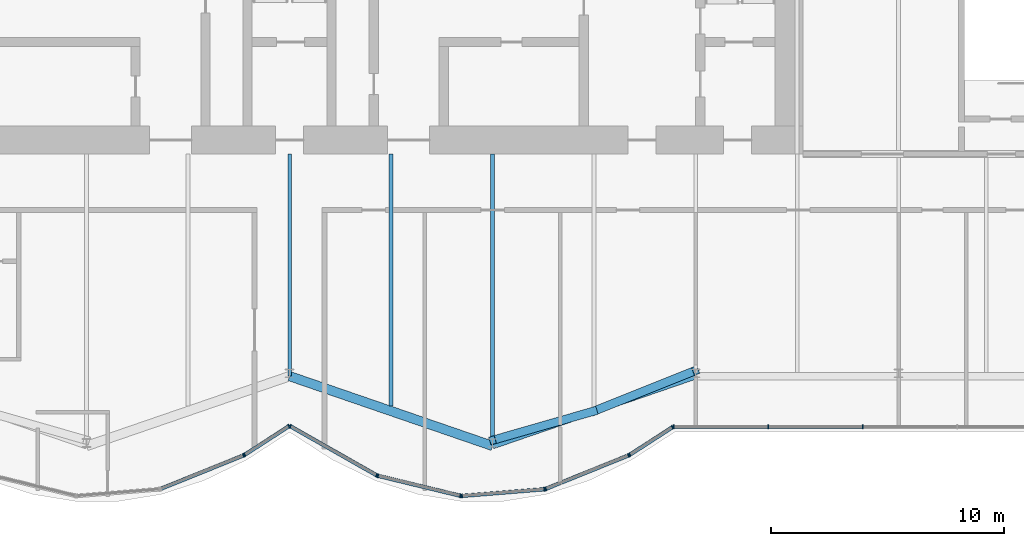
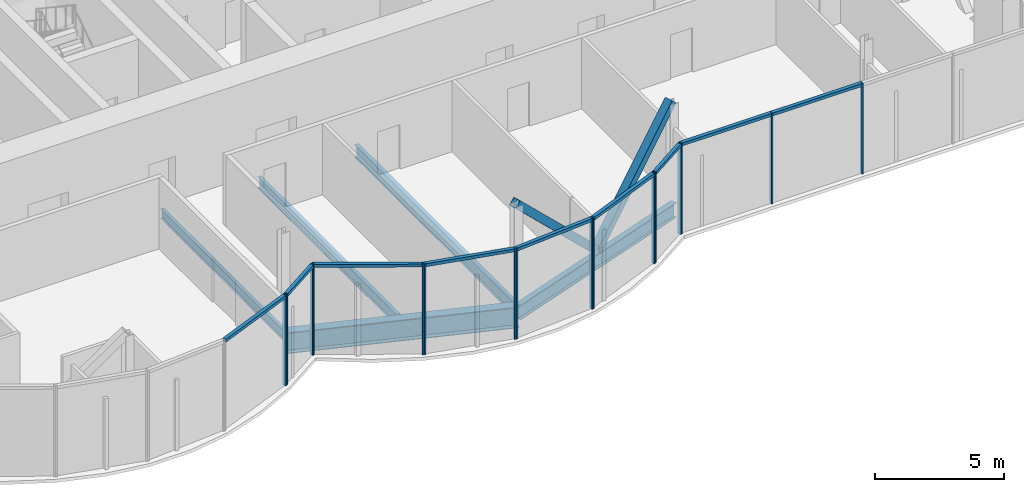
# One storey, part 6 of 16: 27 members, 5 beams, 3 elements without a shape of their own.
"""IFC4 building model written with IfcOpenShell, lengths in metres."""

from ifc_helpers import new_model, si_unit, direction, frame, origin, origin_2d, place, context, subcontext, project, spatial, rectangle, hollow_rectangle, i_section, extrude, material, material_profile, profile_set, type_object, element, aggregate, save


model = new_model("IFC4")

# Units and contexts
model_context = context("Model", 3, precision=1e-05, world=origin(), true_north=direction((0.0, 1.0)))
body_context = subcontext(model_context, "Body", "Model", "MODEL_VIEW")
ifc_project = project(units=[si_unit("LENGTHUNIT", "METRE"), si_unit("AREAUNIT", "SQUARE_METRE"), si_unit("VOLUMEUNIT", "CUBIC_METRE"), si_unit("PLANEANGLEUNIT", "RADIAN"), si_unit("MASSUNIT", "GRAM", prefix="KILO")], contexts=[model_context])

# Site, building, storey
site_placement = place(None, origin())
site = spatial("IfcSite", under=ifc_project, at=site_placement, CompositionType="ELEMENT")
building_placement = place(site_placement, origin())
building = spatial("IfcBuilding", under=site, at=building_placement, Name="Bicima Exchange Tower", CompositionType="ELEMENT")
storey_placement = place(building_placement, frame((0.0, 0.0, 338.0)))
storey = spatial("IfcBuildingStorey", under=building, at=storey_placement, Name="L76", CompositionType="ELEMENT", Elevation=338.0)

# Beams
ifc_material_1 = material(Name="Steel ASTM A992 Gr 50", Category="steel")
ifc_material_profile_1 = material_profile(ifc_material_1, i_section(OverallWidth=0.15283203125, OverallDepth=0.45458984375, WebThickness=0.008056640625, FlangeThickness=0.013427734375, at=origin_2d()))
ifc_profile_set_1 = profile_set([ifc_material_profile_1], Name="Steel ASTM A992 Gr 50")
beam_type_1 = type_object("IfcBeamType", Name="Floor beam W18x40", PredefinedType="JOIST", material=ifc_profile_set_1)
beam_1_placement = place(storey_placement, frame((0.0, -13.0, -0.377197265625), z_axis=(0.0, -1.0, 0.0), x_axis=(1.0, 0.0, 0.0)))
element("IfcBeam", 1, at=beam_1_placement, inside=storey, type_object=beam_type_1, Name="Floor beam", PredefinedType="JOIST", context=body_context, shape_type="SweptSolid", body=[
    extrude(i_section(OverallWidth=0.15283203125, OverallDepth=0.45458984375, WebThickness=0.008056640625, FlangeThickness=0.013427734375, at=origin_2d()), origin(), (0.0, 0.0, 1.0), 9.52001953125),
])
ifc_material_profile_2 = material_profile(ifc_material_1, i_section(OverallWidth=0.165771484375, OverallDepth=0.5283203125, WebThickness=0.009765625, FlangeThickness=0.013671875, at=origin_2d()))
ifc_profile_set_2 = profile_set([ifc_material_profile_2], Name="Steel ASTM A992 Gr 50")
beam_type_2 = type_object("IfcBeamType", Name="Floor beam W21x50", PredefinedType="JOIST", material=ifc_profile_set_2)
beam_2_placement = place(storey_placement, frame((4.35009765625, -13.0, -0.414306640625), z_axis=(0.0, -1.0, 0.0), x_axis=(1.0, 0.0, 0.0)))
element("IfcBeam", 2, at=beam_2_placement, inside=storey, type_object=beam_type_2, Name="Floor beam", PredefinedType="JOIST", context=body_context, shape_type="SweptSolid", body=[
    extrude(i_section(OverallWidth=0.165771484375, OverallDepth=0.5283203125, WebThickness=0.009765625, FlangeThickness=0.013671875, at=origin_2d()), origin(), (0.0, 0.0, 1.0), 10.80322265625),
])
ifc_material_profile_3 = material_profile(ifc_material_1, i_section(OverallWidth=0.177978515625, OverallDepth=0.599365234375, WebThickness=0.010009765625, FlangeThickness=0.012939453125, at=origin_2d()))
ifc_profile_set_3 = profile_set([ifc_material_profile_3], Name="Steel ASTM A992 Gr 50")
beam_type_3 = type_object("IfcBeamType", Name="Floor beam W24x55", PredefinedType="JOIST", material=ifc_profile_set_3)
beam_3_placement = place(storey_placement, frame((8.699951171875, -13.0, -0.44970703125), z_axis=(0.0, -1.0, 0.0), x_axis=(1.0, 0.0, 0.0)))
element("IfcBeam", 3, at=beam_3_placement, inside=storey, type_object=beam_type_3, Name="Floor beam", PredefinedType="JOIST", context=body_context, shape_type="SweptSolid", body=[
    extrude(i_section(OverallWidth=0.177978515625, OverallDepth=0.599365234375, WebThickness=0.010009765625, FlangeThickness=0.012939453125, at=origin_2d()), origin(), (0.0, 0.0, 1.0), 12.298828125),
])
ifc_material_profile_4 = material_profile(ifc_material_1, i_section(OverallWidth=0.256591796875, OverallDepth=0.693359375, WebThickness=0.014404296875, FlangeThickness=0.023681640625, at=origin_2d()))
ifc_profile_set_4 = profile_set([ifc_material_profile_4], Name="Steel ASTM A992 Gr 50")
beam_type_4 = type_object("IfcBeamType", Name="Front girder W27x114", PredefinedType="BEAM", material=ifc_profile_set_4)
beam_4_placement = place(storey_placement, frame((8.699951171875, -25.510986328125, -0.49658203125), z_axis=(0.945674616091, 0.32511462668, 0.0), x_axis=(-0.32511462668, 0.945674616091, 0.0)))
element("IfcBeam", 4, at=beam_4_placement, inside=storey, type_object=beam_type_4, Name="Front girder", PredefinedType="BEAM", context=body_context, shape_type="SweptSolid", body=[
    extrude(i_section(OverallWidth=0.256591796875, OverallDepth=0.693359375, WebThickness=0.014404296875, FlangeThickness=0.023681640625, at=origin_2d()), origin(), (0.0, 0.0, 1.0), 9.19970703125),
])
ifc_material_profile_5 = material_profile(ifc_material_1, i_section(OverallWidth=0.4013671875, OverallDepth=0.990478515625, WebThickness=0.0166015625, FlangeThickness=0.031005859375, at=origin_2d()))
ifc_profile_set_5 = profile_set([ifc_material_profile_5], Name="Steel ASTM A992 Gr 50")
beam_type_5 = type_object("IfcBeamType", Name="Front girder W40x215", PredefinedType="BEAM", material=ifc_profile_set_5)
beam_5_placement = place(storey_placement, frame((0.0, -22.52001953125, -0.645263671875), z_axis=(0.945674616091, -0.32511462668, 0.0), x_axis=(0.32511462668, 0.945674616091, 0.0)))
element("IfcBeam", 5, at=beam_5_placement, inside=storey, type_object=beam_type_5, Name="Front girder", PredefinedType="BEAM", context=body_context, shape_type="SweptSolid", body=[
    extrude(i_section(OverallWidth=0.4013671875, OverallDepth=0.990478515625, WebThickness=0.0166015625, FlangeThickness=0.031005859375, at=origin_2d()), origin(), (0.0, 0.0, 1.0), 9.19970703125),
])

# Curtain wall, members
ifc_material_2 = material(Name="Anodised bronze aluminium", Category="aluminium")
curtain_wall_type = type_object("IfcCurtainWallType", Name="Front glass wall", PredefinedType="NOTDEFINED", material=ifc_material_2)
curtain_wall_1_placement = place(storey_placement, origin())
curtain_wall_1 = element("IfcCurtainWall", 6, at=curtain_wall_1_placement, inside=storey, type_object=curtain_wall_type, Name="Front glass wall L76 run 6", PredefinedType="NOTDEFINED")
ifc_material_profile_6 = material_profile(ifc_material_2, rectangle(XDim=0.159912109375, YDim=0.06005859375, at=origin_2d()))
ifc_profile_set_6 = profile_set([ifc_material_profile_6], Name="Anodised bronze aluminium")
member_type_1 = type_object("IfcMemberType", Name="Front glass wall mullion 60 x 160", PredefinedType="MULLION", material=ifc_profile_set_6)
member_1_placement = place(storey_placement, frame((-1.97412109375, -25.91552734375, 0.0), z_axis=(0.0, 0.0, 1.0), x_axis=(-0.374705304, 0.92714396679, 0.0)))
member_1 = element("IfcMember", 7, at=member_1_placement, type_object=member_type_1, Name="Front glass wall mullion 2", PredefinedType="MULLION", context=body_context, shape_type="SweptSolid", body=[
    extrude(rectangle(XDim=0.159912109375, YDim=0.06005859375, at=origin_2d()), origin(), (0.0, 0.0, 1.0), 4.300048828125),
])
member_2_placement = place(storey_placement, frame((-1.921142578125, -25.88818359375, 0.0), z_axis=(0.0, 0.0, 1.0), x_axis=(-0.542897457326, 0.839798994301, 0.0)))
member_2 = element("IfcMember", 8, at=member_2_placement, type_object=member_type_1, Name="Front glass wall mullion 1", PredefinedType="MULLION", context=body_context, shape_type="SweptSolid", body=[
    extrude(rectangle(XDim=0.159912109375, YDim=0.06005859375, at=origin_2d()), origin(), (0.0, 0.0, 1.0), 4.300048828125),
])
member_3_placement = place(storey_placement, frame((-0.025146484375, -24.662353515625, 0.0), z_axis=(0.0, 0.0, 1.0), x_axis=(-0.542897457326, 0.839798994301, 0.0)))
member_3 = element("IfcMember", 9, at=member_3_placement, type_object=member_type_1, Name="Front glass wall mullion 2", PredefinedType="MULLION", context=body_context, shape_type="SweptSolid", body=[
    extrude(rectangle(XDim=0.159912109375, YDim=0.06005859375, at=origin_2d()), origin(), (0.0, 0.0, 1.0), 4.300048828125),
])

curtain_wall_2_placement = place(storey_placement, origin())
curtain_wall_2 = element("IfcCurtainWall", 10, at=curtain_wall_2_placement, inside=storey, type_object=curtain_wall_type, Name="Front glass wall L76 run 11", PredefinedType="NOTDEFINED")
member_4_placement = place(storey_placement, frame((0.026123046875, -24.660888671875, 0.0), z_axis=(0.0, 0.0, 1.0), x_axis=(0.494330311331, 0.869274147378, 0.0)))
member_4 = element("IfcMember", 11, at=member_4_placement, type_object=member_type_1, Name="Front glass wall mullion 1", PredefinedType="MULLION", context=body_context, shape_type="SweptSolid", body=[
    extrude(rectangle(XDim=0.159912109375, YDim=0.06005859375, at=origin_2d()), origin(), (0.0, 0.0, 1.0), 4.300048828125),
])
member_5_placement = place(storey_placement, frame((3.7265625, -26.765380859375, 0.0), z_axis=(0.0, 0.0, 1.0), x_axis=(0.494330311331, 0.869274147378, 0.0)))
member_5 = element("IfcMember", 12, at=member_5_placement, type_object=member_type_1, Name="Front glass wall mullion 2", PredefinedType="MULLION", context=body_context, shape_type="SweptSolid", body=[
    extrude(rectangle(XDim=0.159912109375, YDim=0.06005859375, at=origin_2d()), origin(), (0.0, 0.0, 1.0), 4.300048828125),
])
member_6_placement = place(storey_placement, frame((3.781982421875, -26.787353515625, 0.0), z_axis=(0.0, 0.0, 1.0), x_axis=(0.235681529503, 0.971830343553, 0.0)))
member_6 = element("IfcMember", 13, at=member_6_placement, type_object=member_type_1, Name="Front glass wall mullion 1", PredefinedType="MULLION", context=body_context, shape_type="SweptSolid", body=[
    extrude(rectangle(XDim=0.159912109375, YDim=0.06005859375, at=origin_2d()), origin(), (0.0, 0.0, 1.0), 4.300048828125),
])
member_7_placement = place(storey_placement, frame((7.322509765625, -27.64599609375, 0.0), z_axis=(0.0, 0.0, 1.0), x_axis=(0.235681529503, 0.971830343553, 0.0)))
member_7 = element("IfcMember", 14, at=member_7_placement, type_object=member_type_1, Name="Front glass wall mullion 2", PredefinedType="MULLION", context=body_context, shape_type="SweptSolid", body=[
    extrude(rectangle(XDim=0.159912109375, YDim=0.06005859375, at=origin_2d()), origin(), (0.0, 0.0, 1.0), 4.300048828125),
])
member_8_placement = place(storey_placement, frame((7.381591796875, -27.650634765625, 0.0), z_axis=(0.0, 0.0, 1.0), x_axis=(-0.080588612633, 0.99674744821, 0.0)))
member_8 = element("IfcMember", 15, at=member_8_placement, type_object=member_type_1, Name="Front glass wall mullion 1", PredefinedType="MULLION", context=body_context, shape_type="SweptSolid", body=[
    extrude(rectangle(XDim=0.159912109375, YDim=0.06005859375, at=origin_2d()), origin(), (0.0, 0.0, 1.0), 4.300048828125),
])
member_9_placement = place(storey_placement, frame((10.916015625, -27.36474609375, 0.0), z_axis=(0.0, 0.0, 1.0), x_axis=(-0.080588612633, 0.99674744821, 0.0)))
member_9 = element("IfcMember", 16, at=member_9_placement, type_object=member_type_1, Name="Front glass wall mullion 2", PredefinedType="MULLION", context=body_context, shape_type="SweptSolid", body=[
    extrude(rectangle(XDim=0.159912109375, YDim=0.06005859375, at=origin_2d()), origin(), (0.0, 0.0, 1.0), 4.300048828125),
])
member_10_placement = place(storey_placement, frame((10.973876953125, -27.351318359375, 0.0), z_axis=(0.0, 0.0, 1.0), x_axis=(-0.374705304, 0.92714396679, 0.0)))
member_10 = element("IfcMember", 17, at=member_10_placement, type_object=member_type_1, Name="Front glass wall mullion 1", PredefinedType="MULLION", context=body_context, shape_type="SweptSolid", body=[
    extrude(rectangle(XDim=0.159912109375, YDim=0.06005859375, at=origin_2d()), origin(), (0.0, 0.0, 1.0), 4.300048828125),
])
member_11_placement = place(storey_placement, frame((14.52587890625, -25.91552734375, 0.0), z_axis=(0.0, 0.0, 1.0), x_axis=(-0.374705304, 0.92714396679, 0.0)))
member_11 = element("IfcMember", 18, at=member_11_placement, type_object=member_type_1, Name="Front glass wall mullion 2", PredefinedType="MULLION", context=body_context, shape_type="SweptSolid", body=[
    extrude(rectangle(XDim=0.159912109375, YDim=0.06005859375, at=origin_2d()), origin(), (0.0, 0.0, 1.0), 4.300048828125),
])
member_12_placement = place(storey_placement, frame((14.578857421875, -25.88818359375, 0.0), z_axis=(0.0, 0.0, 1.0), x_axis=(-0.542909183079, 0.839791413941, 0.0)))
member_12 = element("IfcMember", 19, at=member_12_placement, type_object=member_type_1, Name="Front glass wall mullion 1", PredefinedType="MULLION", context=body_context, shape_type="SweptSolid", body=[
    extrude(rectangle(XDim=0.159912109375, YDim=0.06005859375, at=origin_2d()), origin(), (0.0, 0.0, 1.0), 4.300048828125),
])
member_13_placement = place(storey_placement, frame((16.406982421875, -24.706298828125, 0.0), z_axis=(0.0, 0.0, 1.0), x_axis=(-0.542909183079, 0.839791413941, 0.0)))
member_13 = element("IfcMember", 20, at=member_13_placement, type_object=member_type_1, Name="Front glass wall mullion 2", PredefinedType="MULLION", context=body_context, shape_type="SweptSolid", body=[
    extrude(rectangle(XDim=0.159912109375, YDim=0.06005859375, at=origin_2d()), origin(), (0.0, 0.0, 1.0), 4.300048828125),
])

curtain_wall_3_placement = place(storey_placement, origin())
curtain_wall_3 = element("IfcCurtainWall", 21, at=curtain_wall_3_placement, inside=storey, type_object=curtain_wall_type, Name="Front glass wall L76 run 16", PredefinedType="NOTDEFINED")
member_14_placement = place(storey_placement, frame((16.462158203125, -24.68994140625, 0.0), z_axis=(0.0, 0.0, 1.0), x_axis=(0.0, 1.0, 0.0)))
member_14 = element("IfcMember", 22, at=member_14_placement, type_object=member_type_1, Name="Front glass wall mullion 1", PredefinedType="MULLION", context=body_context, shape_type="SweptSolid", body=[
    extrude(rectangle(XDim=0.159912109375, YDim=0.06005859375, at=origin_2d()), origin(), (0.0, 0.0, 1.0), 4.300048828125),
])
member_15_placement = place(storey_placement, frame((20.51171875, -24.68994140625, 0.0), z_axis=(0.0, 0.0, 1.0), x_axis=(0.0, 1.0, 0.0)))
member_15 = element("IfcMember", 23, at=member_15_placement, type_object=member_type_1, Name="Front glass wall mullion 2", PredefinedType="MULLION", context=body_context, shape_type="SweptSolid", body=[
    extrude(rectangle(XDim=0.159912109375, YDim=0.06005859375, at=origin_2d()), origin(), (0.0, 0.0, 1.0), 4.300048828125),
])
member_16_placement = place(storey_placement, frame((24.56103515625, -24.68994140625, 0.0), z_axis=(0.0, 0.0, 1.0), x_axis=(0.0, 1.0, 0.0)))
member_16 = element("IfcMember", 24, at=member_16_placement, type_object=member_type_1, Name="Front glass wall mullion 3", PredefinedType="MULLION", context=body_context, shape_type="SweptSolid", body=[
    extrude(rectangle(XDim=0.159912109375, YDim=0.06005859375, at=origin_2d()), origin(), (0.0, 0.0, 1.0), 4.300048828125),
])

# Member
ifc_material_profile_7 = material_profile(ifc_material_2, rectangle(XDim=0.159912109375, YDim=0.139892578125, at=origin_2d()))
ifc_profile_set_7 = profile_set([ifc_material_profile_7], Name="Anodised bronze aluminium")
member_type_2 = type_object("IfcMemberType", Name="Front glass wall transom 140 x 160", PredefinedType="USERDEFINED", material=ifc_profile_set_7)
member_17_placement = place(storey_placement, frame((-5.498291015625, -27.33984375, 4.22998046875), z_axis=(0.927140215882, 0.374714584842, 0.0), x_axis=(-0.374714584842, 0.927140215882, 0.0)))
member_17 = element("IfcMember", 25, at=member_17_placement, type_object=member_type_2, Name="Front glass wall transom 1.1", ObjectType="TRANSOM", PredefinedType="USERDEFINED", context=body_context, shape_type="SweptSolid", body=[
    extrude(rectangle(XDim=0.159912109375, YDim=0.139892578125, at=origin_2d()), origin(), (0.0, 0.0, 1.0), 3.77099609375),
])

member_18_placement = place(storey_placement, frame((-1.89599609375, -25.871826171875, 4.22998046875), z_axis=(0.839811483481, 0.542878137536, 0.0), x_axis=(-0.542878137536, 0.839811483481, 0.0)))
member_18 = element("IfcMember", 26, at=member_18_placement, type_object=member_type_2, Name="Front glass wall transom 1.1", ObjectType="TRANSOM", PredefinedType="USERDEFINED", context=body_context, shape_type="SweptSolid", body=[
    extrude(rectangle(XDim=0.159912109375, YDim=0.139892578125, at=origin_2d()), origin(), (0.0, 0.0, 1.0), 2.19775390625),
])

aggregate(curtain_wall_1, [member_1, member_17, member_2, member_3, member_18])

member_19_placement = place(storey_placement, frame((0.05224609375, -24.67578125, 4.22998046875), z_axis=(0.869265121745, -0.494346182466, 0.0), x_axis=(0.494346182466, 0.869265121745, 0.0)))
member_19 = element("IfcMember", 27, at=member_19_placement, type_object=member_type_2, Name="Front glass wall transom 1.1", ObjectType="TRANSOM", PredefinedType="USERDEFINED", context=body_context, shape_type="SweptSolid", body=[
    extrude(rectangle(XDim=0.159912109375, YDim=0.139892578125, at=origin_2d()), origin(), (0.0, 0.0, 1.0), 4.19677734375),
])

member_20_placement = place(storey_placement, frame((3.81103515625, -26.794189453125, 4.22998046875), z_axis=(0.971817951661, -0.235732621477, 0.0), x_axis=(0.235732621477, 0.971817951661, 0.0)))
member_20 = element("IfcMember", 28, at=member_20_placement, type_object=member_type_2, Name="Front glass wall transom 1.1", ObjectType="TRANSOM", PredefinedType="USERDEFINED", context=body_context, shape_type="SweptSolid", body=[
    extrude(rectangle(XDim=0.159912109375, YDim=0.139892578125, at=origin_2d()), origin(), (0.0, 0.0, 1.0), 3.58349609375),
])

member_21_placement = place(storey_placement, frame((7.41162109375, -27.648193359375, 4.22998046875), z_axis=(0.9967456465, 0.080610893699, 0.0), x_axis=(-0.080610893699, 0.9967456465, 0.0)))
member_21 = element("IfcMember", 29, at=member_21_placement, type_object=member_type_2, Name="Front glass wall transom 1.1", ObjectType="TRANSOM", PredefinedType="USERDEFINED", context=body_context, shape_type="SweptSolid", body=[
    extrude(rectangle(XDim=0.159912109375, YDim=0.139892578125, at=origin_2d()), origin(), (0.0, 0.0, 1.0), 3.48583984375),
])

member_22_placement = place(storey_placement, frame((11.001708984375, -27.33984375, 4.22998046875), z_axis=(0.927140215882, 0.374714584842, 0.0), x_axis=(-0.374714584842, 0.927140215882, 0.0)))
member_22 = element("IfcMember", 30, at=member_22_placement, type_object=member_type_2, Name="Front glass wall transom 1.1", ObjectType="TRANSOM", PredefinedType="USERDEFINED", context=body_context, shape_type="SweptSolid", body=[
    extrude(rectangle(XDim=0.159912109375, YDim=0.139892578125, at=origin_2d()), origin(), (0.0, 0.0, 1.0), 3.77099609375),
])

member_23_placement = place(storey_placement, frame((14.60400390625, -25.871826171875, 4.22998046875), z_axis=(0.839792890287, 0.542906899407, 0.0), x_axis=(-0.542906899407, 0.839792890287, 0.0)))
member_23 = element("IfcMember", 31, at=member_23_placement, type_object=member_type_2, Name="Front glass wall transom 1.1", ObjectType="TRANSOM", PredefinedType="USERDEFINED", context=body_context, shape_type="SweptSolid", body=[
    extrude(rectangle(XDim=0.159912109375, YDim=0.139892578125, at=origin_2d()), origin(), (0.0, 0.0, 1.0), 2.11669921875),
])

aggregate(curtain_wall_2, [member_4, member_5, member_19, member_6, member_7, member_20, member_8, member_9, member_21, member_10, member_11, member_22, member_12, member_13, member_23])

member_24_placement = place(storey_placement, frame((16.4921875, -24.68994140625, 4.22998046875), z_axis=(1.0, 0.0, 0.0), x_axis=(0.0, 1.0, 0.0)))
member_24 = element("IfcMember", 32, at=member_24_placement, type_object=member_type_2, Name="Front glass wall transom 1.1", ObjectType="TRANSOM", PredefinedType="USERDEFINED", context=body_context, shape_type="SweptSolid", body=[
    extrude(rectangle(XDim=0.159912109375, YDim=0.139892578125, at=origin_2d()), origin(), (0.0, 0.0, 1.0), 3.989501953125),
])

member_25_placement = place(storey_placement, frame((20.54150390625, -24.68994140625, 4.22998046875), z_axis=(1.0, 0.0, 0.0), x_axis=(0.0, 1.0, 0.0)))
member_25 = element("IfcMember", 33, at=member_25_placement, type_object=member_type_2, Name="Front glass wall transom 2.1", ObjectType="TRANSOM", PredefinedType="USERDEFINED", context=body_context, shape_type="SweptSolid", body=[
    extrude(rectangle(XDim=0.159912109375, YDim=0.139892578125, at=origin_2d()), origin(), (0.0, 0.0, 1.0), 3.989501953125),
])

aggregate(curtain_wall_3, [member_14, member_15, member_16, member_24, member_25])

# Members
ifc_material_3 = material(Name="Steel ASTM A572 Gr 50", Category="steel")
ifc_material_profile_8 = material_profile(ifc_material_3, hollow_rectangle(XDim=0.355712890625, YDim=0.355712890625, WallThickness=0.01171875, at=origin_2d()))
ifc_profile_set_8 = profile_set([ifc_material_profile_8], Name="Steel ASTM A572 Gr 50")
member_type_3 = type_object("IfcMemberType", Name="Mega brace HSS14x14x1/2", PredefinedType="BRACE", material=ifc_profile_set_8)
member_26_placement = place(storey_placement, frame((13.050048828125, -24.015380859375, 0.0), z_axis=(0.669627633412, 0.267783402821, 0.692741569234), x_axis=(-0.371309808925, 0.928509033772, 0.0)))
element("IfcMember", 34, at=member_26_placement, inside=storey, type_object=member_type_3, Name="Mega brace front", PredefinedType="BRACE", context=body_context, shape_type="SweptSolid", body=[
    extrude(hollow_rectangle(XDim=0.355712890625, YDim=0.355712890625, WallThickness=0.01171875, at=origin_2d()), origin(), (0.0, 0.0, 1.0), 6.495849609375),
])
member_27_placement = place(storey_placement, frame((13.050048828125, -24.015380859375, 0.0), z_axis=(-0.681534473108, -0.196106591291, 0.705019834343), x_axis=(0.276522876258, -0.961007335511, 0.0)))
element("IfcMember", 35, at=member_27_placement, inside=storey, type_object=member_type_3, Name="Mega brace front", PredefinedType="BRACE", context=body_context, shape_type="SweptSolid", body=[
    extrude(hollow_rectangle(XDim=0.355712890625, YDim=0.355712890625, WallThickness=0.01171875, at=origin_2d()), origin(), (0.0, 0.0, 1.0), 6.3828125),
])

save(model, "model.ifc")
